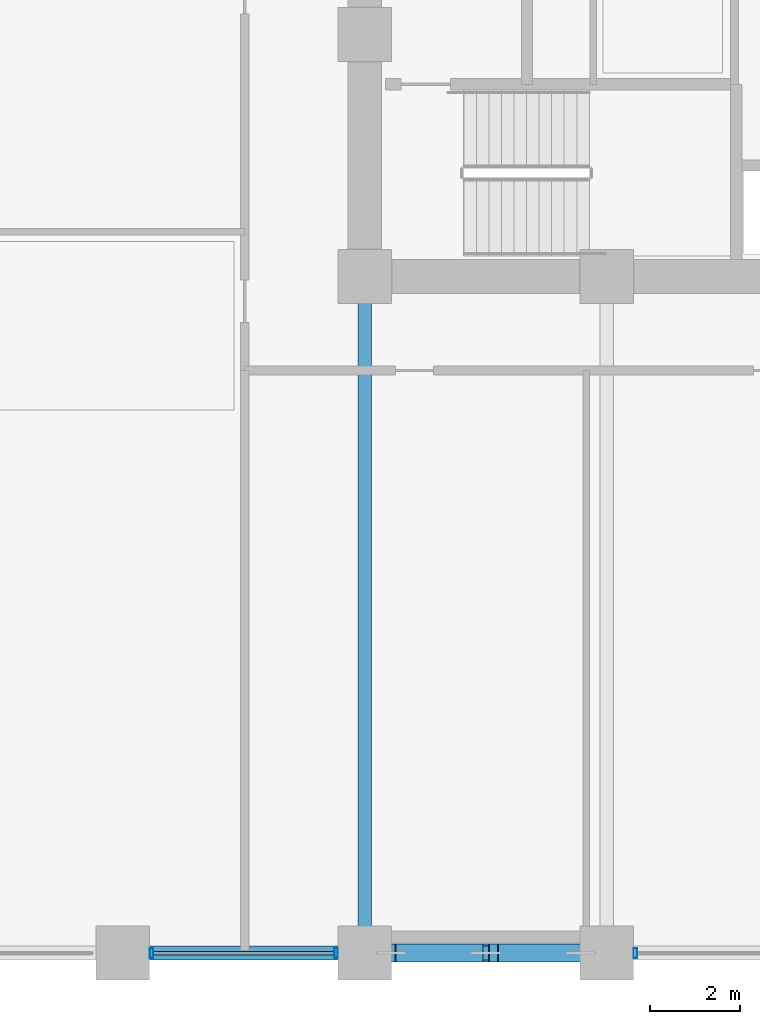
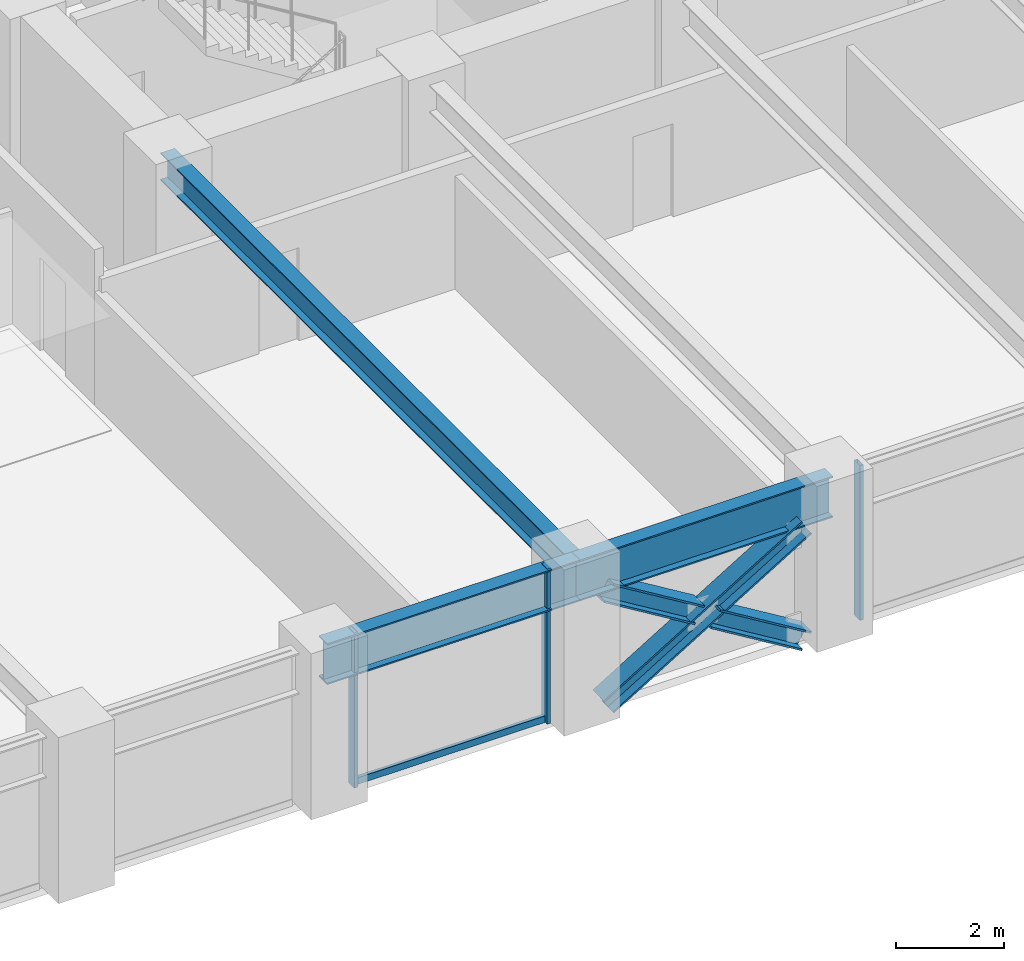
# One storey, part 4 of 26: 7 members, 3 beams, 2 elements without a shape of their own.
"""IFC4 building model written with IfcOpenShell, lengths in metres."""

import ifcopenshell
import ifcopenshell.guid

model = None  # the IFC model being written
_history = None  # IfcOwnerHistory: only IFC2X3 demands one
_inside = {}  # id of a spatial element -> (the spatial element, [elements in it])
_under = {}  # id of a project, library or spatial element -> (it, [spatial elements below it])
_declared = {}  # id of a project -> (the project, [libraries it declares])
_typed = {}  # id of a type object -> (the type object, [elements of that type])
_made_of = {}  # id of a material, layer set ... -> (it, [elements and type objects made of it])


def new_model(schema):
    """Start an empty IFC model of exactly this schema.

    Asked for "IFC4X3", IfcOpenShell would pick the latest addendum, in which some entities
    have other attributes; the version numbers below select the first issue.
    IFC2X3 requires an IfcOwnerHistory on every rooted entity: one is made here for all.
    """
    global model, _history
    if schema == "IFC4X3":
        model = ifcopenshell.file(schema_version=(4, 3, 0, 0))
    else:
        model = ifcopenshell.file(schema=schema)
    _inside.clear()
    _under.clear()
    _declared.clear()
    _typed.clear()
    _made_of.clear()
    _history = None
    if model.schema == "IFC2X3":
        org = make("IfcOrganization", Name="unknown")
        user = make(
            "IfcPersonAndOrganization",
            ThePerson=make("IfcPerson", FamilyName="unknown"),
            TheOrganization=org,
        )
        app = make(
            "IfcApplication",
            ApplicationDeveloper=org,
            Version="unknown",
            ApplicationFullName="unknown",
            ApplicationIdentifier="unknown",
        )
        _history = make(
            "IfcOwnerHistory",
            OwningUser=user,
            OwningApplication=app,
            ChangeAction="ADDED",
            CreationDate=0,
        )
    return model


def make(cls, **values):
    """One entity of the class cls with the attributes given. An attribute that is None is left unset."""
    return model.create_entity(
        cls, **{name: value for name, value in values.items() if value is not None}
    )


def rooted(cls, **values):
    """An entity with a GlobalId (a new one), such as an element, a storey or a relation."""
    return make(cls, GlobalId=ifcopenshell.guid.new(), OwnerHistory=_history, **values)


def si_unit(unit_type, name, prefix=None):
    """IfcSIUnit, for example si_unit("LENGTHUNIT", "METRE", prefix="MILLI")."""
    return make("IfcSIUnit", UnitType=unit_type, Prefix=prefix, Name=name)


def assignment(units):
    """IfcUnitAssignment: the units of a project."""
    return None if units is None else make("IfcUnitAssignment", Units=units)


def point(xyz):
    """IfcCartesianPoint."""
    return None if xyz is None else make("IfcCartesianPoint", Coordinates=xyz)


def direction(xyz):
    """IfcDirection."""
    return None if xyz is None else make("IfcDirection", DirectionRatios=xyz)


def frame(location, z_axis=None, x_axis=None):
    """IfcAxis2Placement3D, a coordinate frame: its origin and axes. An axis left out is left unset."""
    return make(
        "IfcAxis2Placement3D",
        Location=point(location),
        Axis=direction(z_axis),
        RefDirection=direction(x_axis),
    )


def frame_2d(location, x_axis=None):
    """IfcAxis2Placement2D, a coordinate frame in the plane: its origin and x axis."""
    return make(
        "IfcAxis2Placement2D", Location=point(location), RefDirection=direction(x_axis)
    )


def origin():
    """The frame at (0, 0, 0) with its axes left unset."""
    return frame((0.0, 0.0, 0.0))


def origin_2d():
    """The frame at (0, 0) in the plane with its x axis left unset."""
    return frame_2d((0.0, 0.0))


def place(relative_to, where):
    """IfcLocalPlacement: puts the frame where relative to a parent placement (None: the world)."""
    return make(
        "IfcLocalPlacement", PlacementRelTo=relative_to, RelativePlacement=where
    )


def context(
    kind, dimensions, precision=None, world=None, true_north=None, identifier=None
):
    """IfcGeometricRepresentationContext, for example the 3D "Model" context."""
    return make(
        "IfcGeometricRepresentationContext",
        ContextIdentifier=identifier,
        ContextType=kind,
        CoordinateSpaceDimension=dimensions,
        Precision=precision,
        WorldCoordinateSystem=world,
        TrueNorth=true_north,
    )


def subcontext(parent, identifier, kind, view, scale=None):
    """IfcGeometricRepresentationSubContext, for example "Body" below "Model"."""
    return make(
        "IfcGeometricRepresentationSubContext",
        ContextIdentifier=identifier,
        ContextType=kind,
        ParentContext=parent,
        TargetScale=scale,
        TargetView=view,
    )


def project(units=None, contexts=None):
    """IfcProject with its units and contexts."""
    return rooted(
        "IfcProject",
        Name="project",
        RepresentationContexts=contexts,
        UnitsInContext=assignment(units),
    )


def spatial(cls, under=None, at=None, **own):
    """A site, building, storey or space (cls), placed at a placement, below another one or the project."""
    s = rooted(cls, ObjectPlacement=at, **own)
    if under is not None:
        _under.setdefault(under.id(), (under, []))[1].append(s)
    return s


def profile(cls, at=None, kind="AREA", **sizes):
    """A parametric profile (cls). Its sizes go by their IFC names, for example OverallWidth=200.0."""
    return make(cls, ProfileType=kind, Position=at, **sizes)


def hollow_rectangle(**sizes):
    """IfcRectangleHollowProfileDef."""
    return profile("IfcRectangleHollowProfileDef", **sizes)


def i_section(**sizes):
    """IfcIShapeProfileDef."""
    return profile("IfcIShapeProfileDef", **sizes)


def extrude(swept, where, along, depth):
    """IfcExtrudedAreaSolid: the profile swept, set in the frame where, extruded along a direction by depth."""
    return make(
        "IfcExtrudedAreaSolid",
        SweptArea=swept,
        Position=where,
        ExtrudedDirection=direction(along),
        Depth=depth,
    )


def shape(context_of_items, identifier, shape_type, items):
    """IfcShapeRepresentation: the items that make up one representation, for example the "Body"."""
    return make(
        "IfcShapeRepresentation",
        ContextOfItems=context_of_items,
        RepresentationIdentifier=identifier,
        RepresentationType=shape_type,
        Items=items,
    )


def material(Name=None, Category=None):
    """IfcMaterial."""
    return make("IfcMaterial", Name=Name, Category=Category)


def layer(
    of_material, thickness, ventilated=None, Name=None, Category=None, Priority=None
):
    """IfcMaterialLayer: one layer of a wall or slab, of a material (None: an air gap)."""
    return make(
        "IfcMaterialLayer",
        Material=of_material,
        LayerThickness=thickness,
        IsVentilated=ventilated,
        Name=Name,
        Category=Category,
        Priority=Priority,
    )


def layer_set(layers, Name=None):
    """IfcMaterialLayerSet."""
    return make("IfcMaterialLayerSet", MaterialLayers=layers, LayerSetName=Name)


def material_profile(
    of_material, cross_section, Name=None, Category=None, Priority=None
):
    """IfcMaterialProfile: a cross section and its material."""
    return make(
        "IfcMaterialProfile",
        Name=Name,
        Material=of_material,
        Profile=cross_section,
        Priority=Priority,
        Category=Category,
    )


def profile_set(profiles, Name=None, composite=None):
    """IfcMaterialProfileSet."""
    return make(
        "IfcMaterialProfileSet",
        Name=Name,
        MaterialProfiles=profiles,
        CompositeProfile=composite,
    )


def made_of(thing, what):
    """Note that an element or type object is made of a material, layer set ...; save() writes the relation."""
    if what is not None:
        _made_of.setdefault(what.id(), (what, []))[1].append(thing)
    return thing


def type_object(cls, material=None, **own):
    """A type object (cls), such as IfcWallType, which elements share."""
    return made_of(rooted(cls, **own), material)


def element(
    cls,
    number,
    at=None,
    inside=None,
    cuts=None,
    type_object=None,
    material=None,
    context=None,
    identifier="Body",
    shape_type=None,
    held_by="IfcProductDefinitionShape",
    body=None,
    shapes=None,
    **own,
):
    """One element of the class cls, such as IfcWall. Its Tag is "e" and its number.

    at: its placement. inside: the storey or other place that contains it. cuts: it is an
    opening in that element (IfcRelVoidsElement). A single representation is given by context,
    identifier, shape_type and body (its items); several are given by shapes. held_by: the class
    of the entity that holds the representations. save() writes the other relations.
    """
    e = rooted(cls, Tag="e%d" % number, ObjectPlacement=at, **own)
    if body is not None:
        shapes = [shape(context, identifier, shape_type, body)]
    if shapes is not None:
        e.Representation = make(held_by, Representations=shapes)
    if inside is not None:
        _inside.setdefault(inside.id(), (inside, []))[1].append(e)
    if cuts is not None:
        rooted(
            "IfcRelVoidsElement", RelatingBuildingElement=cuts, RelatedOpeningElement=e
        )
    if type_object is not None:
        _typed.setdefault(type_object.id(), (type_object, []))[1].append(e)
    return made_of(e, material)


def aggregate(whole, parts):
    """IfcRelAggregates: a whole, such as a stair, and the parts it consists of."""
    return rooted("IfcRelAggregates", RelatingObject=whole, RelatedObjects=parts)


def save(model, path):
    """Write the relations noted so far, then the file.

    IfcRelAggregates (storeys below a building ...), IfcRelContainedInSpatialStructure (elements
    in a storey), IfcRelDefinesByType, IfcRelAssociatesMaterial and IfcRelDeclares: one each for
    every whole, place, type object, material and project.
    """
    for whole, parts in _under.values():
        aggregate(whole, parts)
    for where, things in _inside.values():
        rooted(
            "IfcRelContainedInSpatialStructure",
            RelatedElements=things,
            RelatingStructure=where,
        )
    for kind, things in _typed.values():
        rooted("IfcRelDefinesByType", RelatedObjects=things, RelatingType=kind)
    for what, things in _made_of.values():
        rooted("IfcRelAssociatesMaterial", RelatedObjects=things, RelatingMaterial=what)
    for by, libraries in _declared.values():
        rooted("IfcRelDeclares", RelatingContext=by, RelatedDefinitions=libraries)
    model.write(path)


model = new_model("IFC4")

# Units and contexts
model_context = context("Model", 3, precision=1e-05, world=origin(), true_north=direction((0.0, 1.0)))
body_context = subcontext(model_context, "Body", "Model", "MODEL_VIEW")
ifc_project = project(units=[si_unit("LENGTHUNIT", "METRE"), si_unit("AREAUNIT", "SQUARE_METRE"), si_unit("VOLUMEUNIT", "CUBIC_METRE"), si_unit("PLANEANGLEUNIT", "RADIAN"), si_unit("MASSUNIT", "GRAM", prefix="KILO")], contexts=[model_context])

# Site, building, storey
site_placement = place(None, origin())
site = spatial("IfcSite", under=ifc_project, at=site_placement, CompositionType="ELEMENT")
building_placement = place(site_placement, origin())
building = spatial("IfcBuilding", under=site, at=building_placement, Name="Surkhivell Harbour Commons", CompositionType="ELEMENT")
storey_placement = place(building_placement, frame((0.0, 0.0, 75.0)))
storey = spatial("IfcBuildingStorey", under=building, at=storey_placement, Name="L19", CompositionType="ELEMENT", Elevation=75.0)

# Beams
ifc_material_1 = material(Name="Steel S355", Category="steel")
ifc_material_profile_1 = material_profile(ifc_material_1, i_section(OverallWidth=0.306884765625, OverallDepth=0.6201171875, WebThickness=0.01416015625, FlangeThickness=0.023681640625, at=origin_2d()), Name="UB610x305x179")
ifc_profile_set_1 = profile_set([ifc_material_profile_1], Name="Steel S355")
beam_type_1 = type_object("IfcBeamType", Name="BM-GRD-610A", PredefinedType="BEAM", material=ifc_profile_set_1)
beam_1_placement = place(storey_placement, frame((-10.800048828125, -25.89990234375, 3.18994140625), z_axis=(0.0, 1.0, 0.0), x_axis=(-1.0, 0.0, 0.0)))
element("IfcBeam", 1, at=beam_1_placement, inside=storey, type_object=beam_type_1, Name="L19 Floor Girder (-10.8,-25.9)", PredefinedType="BEAM", context=body_context, shape_type="SweptSolid", body=[
    extrude(i_section(OverallWidth=0.306884765625, OverallDepth=0.6201171875, WebThickness=0.01416015625, FlangeThickness=0.023681640625, at=origin_2d()), origin(), (0.0, 0.0, 1.0), 15.099853515625),
])
ifc_material_2 = material(Name="Steel S460", Category="steel")
ifc_material_profile_2 = material_profile(ifc_material_2, i_section(OverallWidth=0.30810546875, OverallDepth=0.927001953125, WebThickness=0.01953125, FlangeThickness=0.031982421875, at=origin_2d()), Name="UB914x305x289")
ifc_profile_set_2 = profile_set([ifc_material_profile_2], Name="Steel S460")
beam_type_2 = type_object("IfcBeamType", Name="BM-SPN-914B", PredefinedType="SPANDREL", material=ifc_profile_set_2)
beam_2_placement = place(storey_placement, frame((-16.199951171875, -25.89990234375, 3.03662109375), z_axis=(1.0, 0.0, 0.0), x_axis=(0.0, 1.0, 0.0)))
element("IfcBeam", 2, at=beam_2_placement, inside=storey, type_object=beam_type_2, Name="L19 Tube Spandrel (-16.2,-25.9)", PredefinedType="SPANDREL", context=body_context, shape_type="SweptSolid", body=[
    extrude(i_section(OverallWidth=0.30810546875, OverallDepth=0.927001953125, WebThickness=0.01953125, FlangeThickness=0.031982421875, at=origin_2d()), origin(), (0.0, 0.0, 1.0), 5.39990234375),
])
beam_3_placement = place(storey_placement, frame((-10.800048828125, -25.89990234375, 3.03662109375), z_axis=(1.0, 0.0, 0.0), x_axis=(0.0, 1.0, 0.0)))
element("IfcBeam", 3, at=beam_3_placement, inside=storey, type_object=beam_type_2, Name="L19 Tube Spandrel (-10.8,-25.9)", PredefinedType="SPANDREL", context=body_context, shape_type="SweptSolid", body=[
    extrude(i_section(OverallWidth=0.30810546875, OverallDepth=0.927001953125, WebThickness=0.01953125, FlangeThickness=0.031982421875, at=origin_2d()), origin(), (0.0, 0.0, 1.0), 5.400146484375),
])

# Curtain wall, members
ifc_material_3 = material(Name="Anodised pale-metal aluminium and insulated glazing", Category="aluminium")
ifc_layer = layer(ifc_material_3, 0.219970703125)
ifc_layer_set = layer_set([ifc_layer], Name="Anodised pale-metal aluminium and insulated glazing")
curtain_wall_type = type_object("IfcCurtainWallType", Name="CW-SYS-Z1", PredefinedType="NOTDEFINED", material=ifc_layer_set)
curtain_wall_1_placement = place(storey_placement, origin())
curtain_wall_1 = element("IfcCurtainWall", 4, at=curtain_wall_1_placement, inside=storey, type_object=curtain_wall_type, Name="L19 Curtain Wall CW-L19-E00S1", PredefinedType="NOTDEFINED")
ifc_material_4 = material(Name="Anodised pale-metal aluminium alloy 6063-T6", Category="aluminium")
ifc_material_profile_3 = material_profile(ifc_material_4, hollow_rectangle(XDim=0.074951171875, YDim=0.219970703125, WallThickness=0.00390625, at=origin_2d()), Name="ALU-MULL-75x220")
ifc_profile_set_3 = profile_set([ifc_material_profile_3], Name="Anodised pale-metal aluminium alloy 6063-T6")
member_type_1 = type_object("IfcMemberType", Name="CWM-220", PredefinedType="MULLION", material=ifc_profile_set_3)
member_1_placement = place(storey_placement, frame((-15.560546875, -25.89990234375, 0.0), z_axis=(0.0, 0.0, 1.0), x_axis=(1.0, 0.0, 0.0)))
member_1 = element("IfcMember", 5, at=member_1_placement, type_object=member_type_1, Name="CW-Z1 mullion 3", PredefinedType="MULLION", context=body_context, shape_type="SweptSolid", body=[
    extrude(hollow_rectangle(XDim=0.074951171875, YDim=0.219970703125, WallThickness=0.00390625, at=origin_2d()), origin(), (0.0, 0.0, 1.0), 3.5),
])
member_2_placement = place(storey_placement, frame((-11.439453125, -25.89990234375, 0.0), z_axis=(0.0, 0.0, 1.0), x_axis=(1.0, 0.0, 0.0)))
member_2 = element("IfcMember", 6, at=member_2_placement, type_object=member_type_1, Name="CW-Z1 mullion 4", PredefinedType="MULLION", context=body_context, shape_type="SweptSolid", body=[
    extrude(hollow_rectangle(XDim=0.074951171875, YDim=0.219970703125, WallThickness=0.00390625, at=origin_2d()), origin(), (0.0, 0.0, 1.0), 3.5),
])

# Curtain wall, member
curtain_wall_2_placement = place(storey_placement, origin())
curtain_wall_2 = element("IfcCurtainWall", 7, at=curtain_wall_2_placement, inside=storey, type_object=curtain_wall_type, Name="L19 Curtain Wall CW-L19-E00S2", PredefinedType="NOTDEFINED")
member_3_placement = place(storey_placement, frame((-4.760498046875, -25.89990234375, 0.0), z_axis=(0.0, 0.0, 1.0), x_axis=(1.0, 0.0, 0.0)))
member_3 = element("IfcMember", 8, at=member_3_placement, type_object=member_type_1, Name="CW-Z1 mullion 1", PredefinedType="MULLION", context=body_context, shape_type="SweptSolid", body=[
    extrude(hollow_rectangle(XDim=0.074951171875, YDim=0.219970703125, WallThickness=0.00390625, at=origin_2d()), origin(), (0.0, 0.0, 1.0), 3.5),
])
aggregate(curtain_wall_2, [member_3])

# Member
ifc_material_profile_4 = material_profile(ifc_material_4, hollow_rectangle(XDim=0.074951171875, YDim=0.14990234375, WallThickness=0.00341796875, at=origin_2d()), Name="ALU-TRAN-75x150")
ifc_profile_set_4 = profile_set([ifc_material_profile_4], Name="Anodised pale-metal aluminium alloy 6063-T6")
member_type_2 = type_object("IfcMemberType", Name="CWT-150", PredefinedType="USERDEFINED", material=ifc_profile_set_4)
member_4_placement = place(storey_placement, frame((-15.52294921875, -25.89990234375, 0.074951171875), z_axis=(1.0, 0.0, 0.0), x_axis=(0.0, 1.0, 0.0)))
member_4 = element("IfcMember", 9, at=member_4_placement, type_object=member_type_2, Name="CW-Z1 transom 3.1", ObjectType="TRANSOM", PredefinedType="USERDEFINED", context=body_context, shape_type="SweptSolid", body=[
    extrude(hollow_rectangle(XDim=0.074951171875, YDim=0.14990234375, WallThickness=0.00341796875, at=origin_2d()), origin(), (0.0, 0.0, 1.0), 4.0458984375),
])

aggregate(curtain_wall_1, [member_1, member_2, member_4])

# Members
ifc_material_profile_5 = material_profile(ifc_material_2, i_section(OverallWidth=0.406005859375, OverallDepth=0.416015625, WebThickness=0.026611328125, FlangeThickness=0.0390625, at=origin_2d()), Name="HD400x382")
ifc_profile_set_5 = profile_set([ifc_material_profile_5], Name="Steel S460")
member_type_3 = type_object("IfcMemberType", Name="MEM-BRC-HD382", PredefinedType="BRACE", material=ifc_profile_set_5)
member_5_placement = place(storey_placement, frame((-10.215087890625, -25.89990234375, 0.008056640625), z_axis=(0.854729672163, 0.0, 0.519073393195), x_axis=(0.0, 1.0, 0.0)))
element("IfcMember", 10, at=member_5_placement, inside=storey, type_object=member_type_3, Name="L19 Perimeter Mega-Brace MB- 07", PredefinedType="BRACE", context=body_context, shape_type="SweptSolid", body=[
    extrude(i_section(OverallWidth=0.406005859375, OverallDepth=0.416015625, WebThickness=0.026611328125, FlangeThickness=0.0390625, at=origin_2d()), origin(), (0.0, 0.0, 1.0), 4.948974609375),
])
member_6_placement = place(storey_placement, frame((-5.985107421875, -25.89990234375, 0.008056640625), z_axis=(-0.854724587245, 0.0, 0.519081766158), x_axis=(0.0, -1.0, 0.0)))
element("IfcMember", 11, at=member_6_placement, inside=storey, type_object=member_type_3, Name="L19 Perimeter Mega-Brace MB- 08", PredefinedType="BRACE", context=body_context, shape_type="SweptSolid", body=[
    extrude(i_section(OverallWidth=0.406005859375, OverallDepth=0.416015625, WebThickness=0.026611328125, FlangeThickness=0.0390625, at=origin_2d()), origin(), (0.0, 0.0, 1.0), 2.2744140625),
])
member_7_placement = place(storey_placement, frame((-8.270751953125, -25.89990234375, 1.396240234375), z_axis=(-0.85475350478, 0.0, 0.519034147302), x_axis=(0.0, -1.0, 0.0)))
element("IfcMember", 12, at=member_7_placement, inside=storey, type_object=member_type_3, Name="L19 Perimeter Mega-Brace MB- 09", PredefinedType="BRACE", context=body_context, shape_type="SweptSolid", body=[
    extrude(i_section(OverallWidth=0.406005859375, OverallDepth=0.416015625, WebThickness=0.026611328125, FlangeThickness=0.0390625, at=origin_2d()), origin(), (0.0, 0.0, 1.0), 2.274658203125),
])

save(model, "model.ifc")
